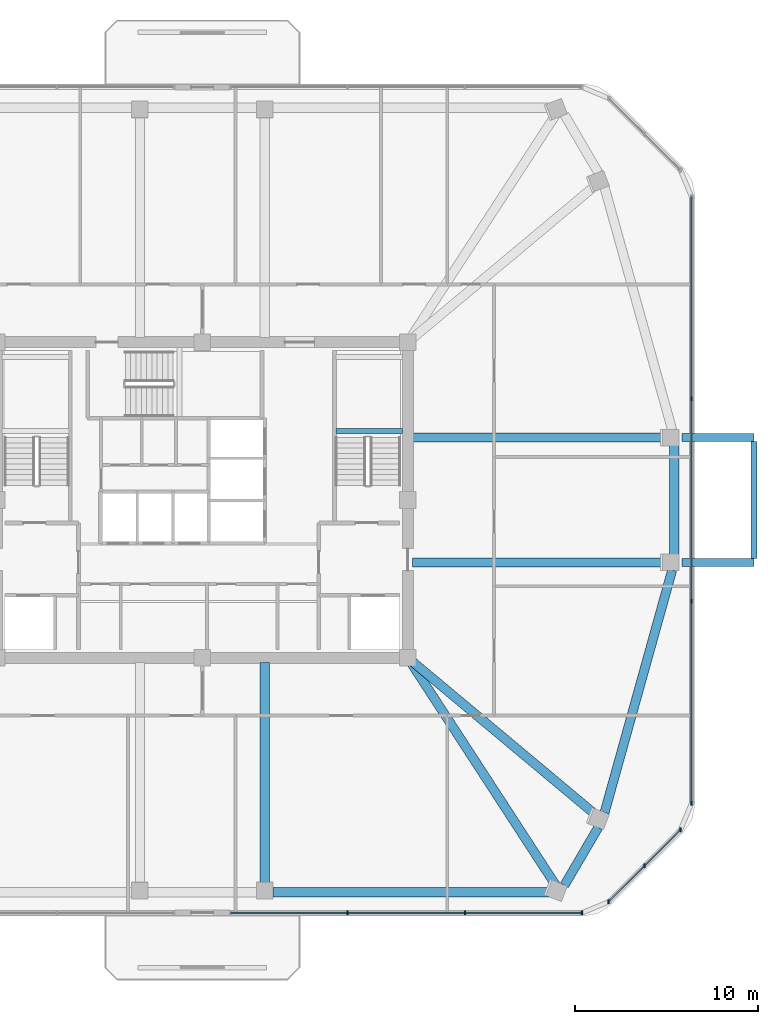
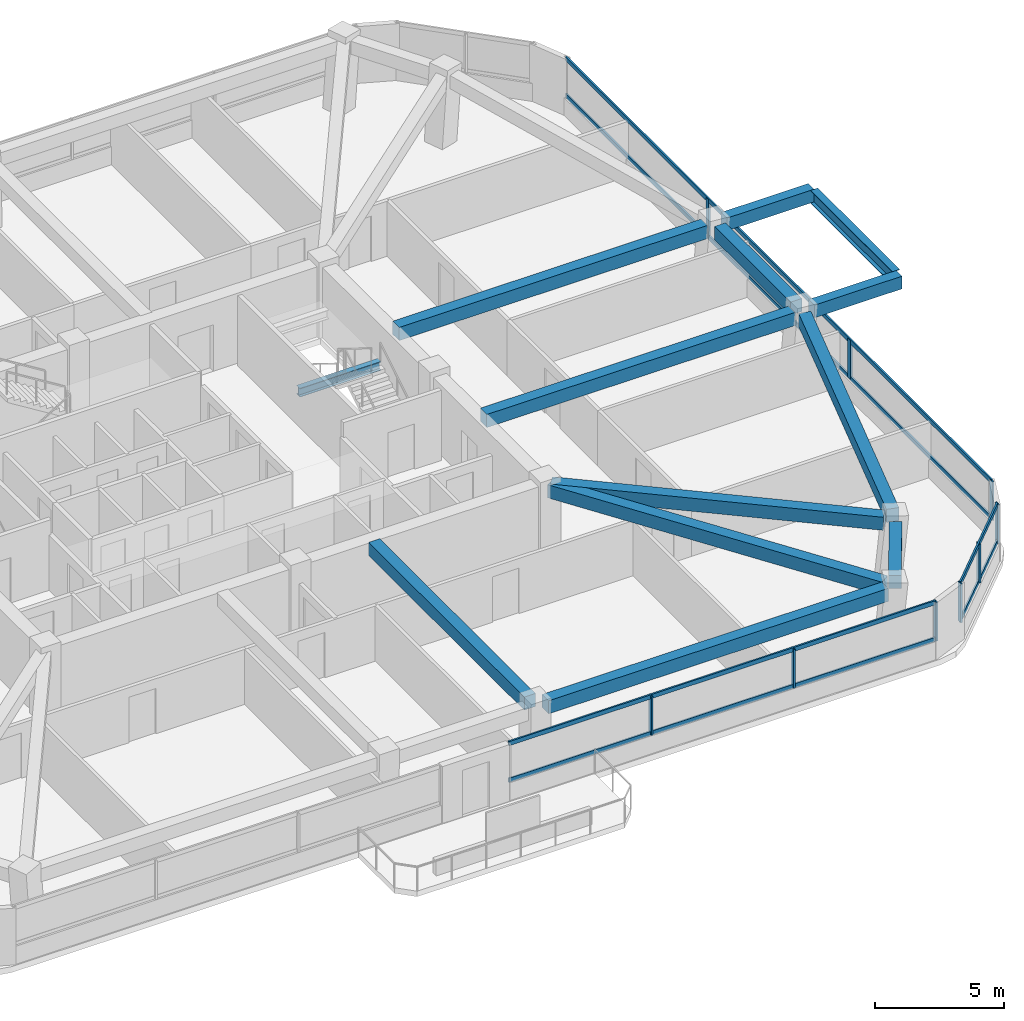
# One storey, part 4 of 13: 15 members, 13 beams, 3 elements without a shape of their own.
"""IFC4 building model written with IfcOpenShell, lengths in metres."""

import ifcopenshell
import ifcopenshell.guid

model = None  # the IFC model being written
_history = None  # IfcOwnerHistory: only IFC2X3 demands one
_inside = {}  # id of a spatial element -> (the spatial element, [elements in it])
_under = {}  # id of a project, library or spatial element -> (it, [spatial elements below it])
_declared = {}  # id of a project -> (the project, [libraries it declares])
_typed = {}  # id of a type object -> (the type object, [elements of that type])
_made_of = {}  # id of a material, layer set ... -> (it, [elements and type objects made of it])


def new_model(schema):
    """Start an empty IFC model of exactly this schema.

    Asked for "IFC4X3", IfcOpenShell would pick the latest addendum, in which some entities
    have other attributes; the version numbers below select the first issue.
    IFC2X3 requires an IfcOwnerHistory on every rooted entity: one is made here for all.
    """
    global model, _history
    if schema == "IFC4X3":
        model = ifcopenshell.file(schema_version=(4, 3, 0, 0))
    else:
        model = ifcopenshell.file(schema=schema)
    _inside.clear()
    _under.clear()
    _declared.clear()
    _typed.clear()
    _made_of.clear()
    _history = None
    if model.schema == "IFC2X3":
        org = make("IfcOrganization", Name="unknown")
        user = make(
            "IfcPersonAndOrganization",
            ThePerson=make("IfcPerson", FamilyName="unknown"),
            TheOrganization=org,
        )
        app = make(
            "IfcApplication",
            ApplicationDeveloper=org,
            Version="unknown",
            ApplicationFullName="unknown",
            ApplicationIdentifier="unknown",
        )
        _history = make(
            "IfcOwnerHistory",
            OwningUser=user,
            OwningApplication=app,
            ChangeAction="ADDED",
            CreationDate=0,
        )
    return model


def make(cls, **values):
    """One entity of the class cls with the attributes given. An attribute that is None is left unset."""
    return model.create_entity(
        cls, **{name: value for name, value in values.items() if value is not None}
    )


def rooted(cls, **values):
    """An entity with a GlobalId (a new one), such as an element, a storey or a relation."""
    return make(cls, GlobalId=ifcopenshell.guid.new(), OwnerHistory=_history, **values)


def si_unit(unit_type, name, prefix=None):
    """IfcSIUnit, for example si_unit("LENGTHUNIT", "METRE", prefix="MILLI")."""
    return make("IfcSIUnit", UnitType=unit_type, Prefix=prefix, Name=name)


def derived_unit(unit_type, elements):
    """IfcDerivedUnit: a product of units, each with its exponent."""
    return make(
        "IfcDerivedUnit",
        Elements=[
            make("IfcDerivedUnitElement", Unit=unit, Exponent=power)
            for unit, power in elements
        ],
        UnitType=unit_type,
    )


def assignment(units):
    """IfcUnitAssignment: the units of a project."""
    return None if units is None else make("IfcUnitAssignment", Units=units)


def point(xyz):
    """IfcCartesianPoint."""
    return None if xyz is None else make("IfcCartesianPoint", Coordinates=xyz)


def direction(xyz):
    """IfcDirection."""
    return None if xyz is None else make("IfcDirection", DirectionRatios=xyz)


def frame(location, z_axis=None, x_axis=None):
    """IfcAxis2Placement3D, a coordinate frame: its origin and axes. An axis left out is left unset."""
    return make(
        "IfcAxis2Placement3D",
        Location=point(location),
        Axis=direction(z_axis),
        RefDirection=direction(x_axis),
    )


def frame_2d(location, x_axis=None):
    """IfcAxis2Placement2D, a coordinate frame in the plane: its origin and x axis."""
    return make(
        "IfcAxis2Placement2D", Location=point(location), RefDirection=direction(x_axis)
    )


def origin():
    """The frame at (0, 0, 0) with its axes left unset."""
    return frame((0.0, 0.0, 0.0))


def origin_2d():
    """The frame at (0, 0) in the plane with its x axis left unset."""
    return frame_2d((0.0, 0.0))


def place(relative_to, where):
    """IfcLocalPlacement: puts the frame where relative to a parent placement (None: the world)."""
    return make(
        "IfcLocalPlacement", PlacementRelTo=relative_to, RelativePlacement=where
    )


def context(
    kind, dimensions, precision=None, world=None, true_north=None, identifier=None
):
    """IfcGeometricRepresentationContext, for example the 3D "Model" context."""
    return make(
        "IfcGeometricRepresentationContext",
        ContextIdentifier=identifier,
        ContextType=kind,
        CoordinateSpaceDimension=dimensions,
        Precision=precision,
        WorldCoordinateSystem=world,
        TrueNorth=true_north,
    )


def subcontext(parent, identifier, kind, view, scale=None):
    """IfcGeometricRepresentationSubContext, for example "Body" below "Model"."""
    return make(
        "IfcGeometricRepresentationSubContext",
        ContextIdentifier=identifier,
        ContextType=kind,
        ParentContext=parent,
        TargetScale=scale,
        TargetView=view,
    )


def project(units=None, contexts=None):
    """IfcProject with its units and contexts."""
    return rooted(
        "IfcProject",
        Name="project",
        RepresentationContexts=contexts,
        UnitsInContext=assignment(units),
    )


def spatial(cls, under=None, at=None, **own):
    """A site, building, storey or space (cls), placed at a placement, below another one or the project."""
    s = rooted(cls, ObjectPlacement=at, **own)
    if under is not None:
        _under.setdefault(under.id(), (under, []))[1].append(s)
    return s


def profile(cls, at=None, kind="AREA", **sizes):
    """A parametric profile (cls). Its sizes go by their IFC names, for example OverallWidth=200.0."""
    return make(cls, ProfileType=kind, Position=at, **sizes)


def rectangle(**sizes):
    """IfcRectangleProfileDef."""
    return profile("IfcRectangleProfileDef", **sizes)


def i_section(**sizes):
    """IfcIShapeProfileDef."""
    return profile("IfcIShapeProfileDef", **sizes)


def extrude(swept, where, along, depth):
    """IfcExtrudedAreaSolid: the profile swept, set in the frame where, extruded along a direction by depth."""
    return make(
        "IfcExtrudedAreaSolid",
        SweptArea=swept,
        Position=where,
        ExtrudedDirection=direction(along),
        Depth=depth,
    )


def shape(context_of_items, identifier, shape_type, items):
    """IfcShapeRepresentation: the items that make up one representation, for example the "Body"."""
    return make(
        "IfcShapeRepresentation",
        ContextOfItems=context_of_items,
        RepresentationIdentifier=identifier,
        RepresentationType=shape_type,
        Items=items,
    )


def material(Name=None, Category=None):
    """IfcMaterial."""
    return make("IfcMaterial", Name=Name, Category=Category)


def material_profile(
    of_material, cross_section, Name=None, Category=None, Priority=None
):
    """IfcMaterialProfile: a cross section and its material."""
    return make(
        "IfcMaterialProfile",
        Name=Name,
        Material=of_material,
        Profile=cross_section,
        Priority=Priority,
        Category=Category,
    )


def profile_set(profiles, Name=None, composite=None):
    """IfcMaterialProfileSet."""
    return make(
        "IfcMaterialProfileSet",
        Name=Name,
        MaterialProfiles=profiles,
        CompositeProfile=composite,
    )


def made_of(thing, what):
    """Note that an element or type object is made of a material, layer set ...; save() writes the relation."""
    if what is not None:
        _made_of.setdefault(what.id(), (what, []))[1].append(thing)
    return thing


def type_object(cls, material=None, **own):
    """A type object (cls), such as IfcWallType, which elements share."""
    return made_of(rooted(cls, **own), material)


def element(
    cls,
    number,
    at=None,
    inside=None,
    cuts=None,
    type_object=None,
    material=None,
    context=None,
    identifier="Body",
    shape_type=None,
    held_by="IfcProductDefinitionShape",
    body=None,
    shapes=None,
    **own,
):
    """One element of the class cls, such as IfcWall. Its Tag is "e" and its number.

    at: its placement. inside: the storey or other place that contains it. cuts: it is an
    opening in that element (IfcRelVoidsElement). A single representation is given by context,
    identifier, shape_type and body (its items); several are given by shapes. held_by: the class
    of the entity that holds the representations. save() writes the other relations.
    """
    e = rooted(cls, Tag="e%d" % number, ObjectPlacement=at, **own)
    if body is not None:
        shapes = [shape(context, identifier, shape_type, body)]
    if shapes is not None:
        e.Representation = make(held_by, Representations=shapes)
    if inside is not None:
        _inside.setdefault(inside.id(), (inside, []))[1].append(e)
    if cuts is not None:
        rooted(
            "IfcRelVoidsElement", RelatingBuildingElement=cuts, RelatedOpeningElement=e
        )
    if type_object is not None:
        _typed.setdefault(type_object.id(), (type_object, []))[1].append(e)
    return made_of(e, material)


def aggregate(whole, parts):
    """IfcRelAggregates: a whole, such as a stair, and the parts it consists of."""
    return rooted("IfcRelAggregates", RelatingObject=whole, RelatedObjects=parts)


def save(model, path):
    """Write the relations noted so far, then the file.

    IfcRelAggregates (storeys below a building ...), IfcRelContainedInSpatialStructure (elements
    in a storey), IfcRelDefinesByType, IfcRelAssociatesMaterial and IfcRelDeclares: one each for
    every whole, place, type object, material and project.
    """
    for whole, parts in _under.values():
        aggregate(whole, parts)
    for where, things in _inside.values():
        rooted(
            "IfcRelContainedInSpatialStructure",
            RelatedElements=things,
            RelatingStructure=where,
        )
    for kind, things in _typed.values():
        rooted("IfcRelDefinesByType", RelatedObjects=things, RelatingType=kind)
    for what, things in _made_of.values():
        rooted("IfcRelAssociatesMaterial", RelatedObjects=things, RelatingMaterial=what)
    for by, libraries in _declared.values():
        rooted("IfcRelDeclares", RelatingContext=by, RelatedDefinitions=libraries)
    model.write(path)


model = new_model("IFC4")

# Units and contexts
model_context = context("Model", 3, precision=1e-05, world=origin(), true_north=direction((0.0, 1.0)))
body_context = subcontext(model_context, "Body", "Model", "MODEL_VIEW")
ifc_project = project(units=[si_unit("LENGTHUNIT", "METRE"), si_unit("AREAUNIT", "SQUARE_METRE"), si_unit("VOLUMEUNIT", "CUBIC_METRE"), si_unit("PLANEANGLEUNIT", "RADIAN"), si_unit("MASSUNIT", "GRAM", prefix="KILO"), derived_unit("THERMALTRANSMITTANCEUNIT", [(si_unit("POWERUNIT", "WATT"), 1), (si_unit("LENGTHUNIT", "METRE"), -2), (si_unit("THERMODYNAMICTEMPERATUREUNIT", "KELVIN"), -1)])], contexts=[model_context])

# Site, building, storey
site_placement = place(None, origin())
site = spatial("IfcSite", under=ifc_project, at=site_placement, CompositionType="ELEMENT")
building_placement = place(site_placement, origin())
building = spatial("IfcBuilding", under=site, at=building_placement, Name="Koralith Skygarden Medical Center", CompositionType="ELEMENT")
storey_placement = place(building_placement, frame((0.0, 0.0, 217.97998046875)))
storey = spatial("IfcBuildingStorey", under=building, at=storey_placement, Name="L56", CompositionType="ELEMENT", Elevation=217.97998046875)

# Curtain wall, members
ifc_material_1 = material(Name="Clear Laminated Glass", Category="glass")
curtain_wall_type = type_object("IfcCurtainWallType", Name="CW-5 Zone 4 Flare Biophilic Curtain Wall", PredefinedType="NOTDEFINED", material=ifc_material_1)
curtain_wall_1_placement = place(storey_placement, origin())
curtain_wall_1 = element("IfcCurtainWall", 1, at=curtain_wall_1_placement, inside=storey, type_object=curtain_wall_type, Name="Curtain Wall CW-L56-S-R", PredefinedType="NOTDEFINED")
ifc_material_2 = material(Name="Aluminium 6063-T6", Category="aluminium")
ifc_material_profile_1 = material_profile(ifc_material_2, rectangle(XDim=0.080078125, YDim=0.219970703125, at=origin_2d()), Name="MUL80X220")
ifc_profile_set_1 = profile_set([ifc_material_profile_1], Name="Aluminium 6063-T6")
member_type_1 = type_object("IfcMemberType", Name="CW-5 Extruded Mullion 80x220", PredefinedType="MULLION", material=ifc_profile_set_1)
member_1_placement = place(storey_placement, frame((44.9208984375, 3.39501953125, 0.85009765625), z_axis=(0.0, 0.0, 1.0), x_axis=(1.0, 0.0, 0.0)))
member_1 = element("IfcMember", 2, at=member_1_placement, type_object=member_type_1, Name="CW-L56-S-R Mullion 2", PredefinedType="MULLION", context=body_context, shape_type="SweptSolid", body=[
    extrude(rectangle(XDim=0.080078125, YDim=0.219970703125, at=origin_2d()), origin(), (0.0, 0.0, 1.0), 1.83984375),
])
member_2_placement = place(storey_placement, frame((51.302978515625, 3.39501953125, 0.85009765625), z_axis=(0.0, 0.0, 1.0), x_axis=(1.0, 0.0, 0.0)))
member_2 = element("IfcMember", 3, at=member_2_placement, type_object=member_type_1, Name="CW-L56-S-R Mullion 3", PredefinedType="MULLION", context=body_context, shape_type="SweptSolid", body=[
    extrude(rectangle(XDim=0.080078125, YDim=0.219970703125, at=origin_2d()), origin(), (0.0, 0.0, 1.0), 1.83984375),
])
member_3_placement = place(storey_placement, frame((57.68408203125, 3.39501953125, 0.85009765625), z_axis=(0.0, 0.0, 1.0), x_axis=(1.0, 0.0, 0.0)))
member_3 = element("IfcMember", 4, at=member_3_placement, type_object=member_type_1, Name="CW-L56-S-R Mullion 4", PredefinedType="MULLION", context=body_context, shape_type="SweptSolid", body=[
    extrude(rectangle(XDim=0.080078125, YDim=0.219970703125, at=origin_2d()), origin(), (0.0, 0.0, 1.0), 1.83984375),
])

curtain_wall_2_placement = place(storey_placement, origin())
curtain_wall_2 = element("IfcCurtainWall", 5, at=curtain_wall_2_placement, inside=storey, type_object=curtain_wall_type, Name="Curtain Wall CW-L56-SE", PredefinedType="NOTDEFINED")
member_4_placement = place(storey_placement, frame((59.135009765625, 3.9970703125, 0.85009765625), z_axis=(0.0, 0.0, 1.0), x_axis=(1.0, 0.0, 0.0)))
member_4 = element("IfcMember", 6, at=member_4_placement, type_object=member_type_1, Name="CW-L56-SE Mullion 1", PredefinedType="MULLION", context=body_context, shape_type="SweptSolid", body=[
    extrude(rectangle(XDim=0.080078125, YDim=0.219970703125, at=origin_2d()), origin(), (0.0, 0.0, 1.0), 1.83984375),
])
member_5_placement = place(storey_placement, frame((61.095947265625, 5.9580078125, 0.85009765625), z_axis=(0.0, 0.0, 1.0), x_axis=(1.0, 0.0, 0.0)))
member_5 = element("IfcMember", 7, at=member_5_placement, type_object=member_type_1, Name="CW-L56-SE Mullion 2", PredefinedType="MULLION", context=body_context, shape_type="SweptSolid", body=[
    extrude(rectangle(XDim=0.080078125, YDim=0.219970703125, at=origin_2d()), origin(), (0.0, 0.0, 1.0), 1.83984375),
])
member_6_placement = place(storey_placement, frame((63.05810546875, 7.919921875, 0.85009765625), z_axis=(0.0, 0.0, 1.0), x_axis=(1.0, 0.0, 0.0)))
member_6 = element("IfcMember", 8, at=member_6_placement, type_object=member_type_1, Name="CW-L56-SE Mullion 3", PredefinedType="MULLION", context=body_context, shape_type="SweptSolid", body=[
    extrude(rectangle(XDim=0.080078125, YDim=0.219970703125, at=origin_2d()), origin(), (0.0, 0.0, 1.0), 1.83984375),
])

curtain_wall_3_placement = place(storey_placement, origin())
curtain_wall_3 = element("IfcCurtainWall", 9, at=curtain_wall_3_placement, inside=storey, type_object=curtain_wall_type, Name="Curtain Wall CW-L56-E", PredefinedType="NOTDEFINED")
member_7_placement = place(storey_placement, frame((63.659912109375, 9.37109375, 0.85009765625), z_axis=(0.0, 0.0, 1.0), x_axis=(1.0, 0.0, 0.0)))
member_7 = element("IfcMember", 10, at=member_7_placement, type_object=member_type_1, Name="CW-L56-E Mullion 1", PredefinedType="MULLION", context=body_context, shape_type="SweptSolid", body=[
    extrude(rectangle(XDim=0.080078125, YDim=0.219970703125, at=origin_2d()), origin(), (0.0, 0.0, 1.0), 1.83984375),
])
member_8_placement = place(storey_placement, frame((63.659912109375, 20.389892578125, 0.85009765625), z_axis=(0.0, 0.0, 1.0), x_axis=(1.0, 0.0, 0.0)))
member_8 = element("IfcMember", 11, at=member_8_placement, type_object=member_type_1, Name="CW-L56-E Mullion 2", PredefinedType="MULLION", context=body_context, shape_type="SweptSolid", body=[
    extrude(rectangle(XDim=0.080078125, YDim=0.219970703125, at=origin_2d()), origin(), (0.0, 0.0, 1.0), 1.83984375),
])
member_9_placement = place(storey_placement, frame((63.659912109375, 31.409912109375, 0.85009765625), z_axis=(0.0, 0.0, 1.0), x_axis=(1.0, 0.0, 0.0)))
member_9 = element("IfcMember", 12, at=member_9_placement, type_object=member_type_1, Name="CW-L56-E Mullion 3", PredefinedType="MULLION", context=body_context, shape_type="SweptSolid", body=[
    extrude(rectangle(XDim=0.080078125, YDim=0.219970703125, at=origin_2d()), origin(), (0.0, 0.0, 1.0), 1.83984375),
])

# Member
ifc_material_profile_2 = material_profile(ifc_material_2, rectangle(XDim=0.074951171875, YDim=0.197998046875, at=origin_2d()), Name="TRN75X198")
ifc_profile_set_2 = profile_set([ifc_material_profile_2], Name="Aluminium 6063-T6")
member_type_2 = type_object("IfcMemberType", Name="CW-5 Thermal Transom 75x198", PredefinedType="USERDEFINED", material=ifc_profile_set_2)
member_10_placement = place(storey_placement, frame((38.5400390625, 3.39501953125, 0.89990234375), z_axis=(1.0, 0.0, 0.0), x_axis=(0.0, 1.0, 0.0)))
member_10 = element("IfcMember", 13, at=member_10_placement, type_object=member_type_2, Name="CW-L56-S-R Transom 1", ObjectType="TRANSOM", PredefinedType="USERDEFINED", context=body_context, shape_type="SweptSolid", body=[
    extrude(rectangle(XDim=0.074951171875, YDim=0.197998046875, at=origin_2d()), origin(), (0.0, 0.0, 1.0), 19.14404296875),
])

member_11_placement = place(storey_placement, frame((38.5400390625, 3.39501953125, 2.64013671875), z_axis=(1.0, 0.0, 0.0), x_axis=(0.0, 1.0, 0.0)))
member_11 = element("IfcMember", 14, at=member_11_placement, type_object=member_type_2, Name="CW-L56-S-R Transom 2", ObjectType="TRANSOM", PredefinedType="USERDEFINED", context=body_context, shape_type="SweptSolid", body=[
    extrude(rectangle(XDim=0.074951171875, YDim=0.197998046875, at=origin_2d()), origin(), (0.0, 0.0, 1.0), 19.14404296875),
])

aggregate(curtain_wall_1, [member_1, member_2, member_3, member_10, member_11])

member_12_placement = place(storey_placement, frame((59.135009765625, 3.9970703125, 0.89990234375), z_axis=(0.707128783731, 0.707084777957, 0.0), x_axis=(-0.707084777957, 0.707128783731, 0.0)))
member_12 = element("IfcMember", 15, at=member_12_placement, type_object=member_type_2, Name="CW-L56-SE Transom 1", ObjectType="TRANSOM", PredefinedType="USERDEFINED", context=body_context, shape_type="SweptSolid", body=[
    extrude(rectangle(XDim=0.074951171875, YDim=0.197998046875, at=origin_2d()), origin(), (0.0, 0.0, 1.0), 5.5478515625),
])

member_13_placement = place(storey_placement, frame((59.135009765625, 3.9970703125, 2.64013671875), z_axis=(0.707128783731, 0.707084777957, 0.0), x_axis=(-0.707084777957, 0.707128783731, 0.0)))
member_13 = element("IfcMember", 16, at=member_13_placement, type_object=member_type_2, Name="CW-L56-SE Transom 2", ObjectType="TRANSOM", PredefinedType="USERDEFINED", context=body_context, shape_type="SweptSolid", body=[
    extrude(rectangle(XDim=0.074951171875, YDim=0.197998046875, at=origin_2d()), origin(), (0.0, 0.0, 1.0), 5.5478515625),
])

aggregate(curtain_wall_2, [member_4, member_5, member_6, member_12, member_13])

member_14_placement = place(storey_placement, frame((63.659912109375, 9.37109375, 0.89990234375), z_axis=(0.0, 1.0, 0.0), x_axis=(-1.0, 0.0, 0.0)))
member_14 = element("IfcMember", 17, at=member_14_placement, type_object=member_type_2, Name="CW-L56-E Transom 1", ObjectType="TRANSOM", PredefinedType="USERDEFINED", context=body_context, shape_type="SweptSolid", body=[
    extrude(rectangle(XDim=0.074951171875, YDim=0.197998046875, at=origin_2d()), origin(), (0.0, 0.0, 1.0), 33.057861328125),
])

member_15_placement = place(storey_placement, frame((63.659912109375, 9.37109375, 2.64013671875), z_axis=(0.0, 1.0, 0.0), x_axis=(-1.0, 0.0, 0.0)))
member_15 = element("IfcMember", 18, at=member_15_placement, type_object=member_type_2, Name="CW-L56-E Transom 2", ObjectType="TRANSOM", PredefinedType="USERDEFINED", context=body_context, shape_type="SweptSolid", body=[
    extrude(rectangle(XDim=0.074951171875, YDim=0.197998046875, at=origin_2d()), origin(), (0.0, 0.0, 1.0), 33.057861328125),
])

aggregate(curtain_wall_3, [member_7, member_8, member_9, member_14, member_15])

# Beams
ifc_material_3 = material(Name="Steel ASTM A992 Grade 50", Category="steel")
ifc_material_profile_3 = material_profile(ifc_material_3, i_section(OverallWidth=0.326904296875, OverallDepth=0.6220703125, WebThickness=0.015380859375, FlangeThickness=0.0244140625, at=origin_2d()), Name="W24X131")
ifc_profile_set_3 = profile_set([ifc_material_profile_3], Name="Steel ASTM A992 Grade 50")
beam_type_1 = type_object("IfcBeamType", Name="Cantilever Tie Beam W24X131", PredefinedType="BEAM", material=ifc_profile_set_3)
beam_1_placement = place(storey_placement, frame((67.072021484375, 22.719970703125, 3.029052734375), z_axis=(0.0, 1.0, 0.0), x_axis=(-1.0, 0.0, 0.0)))
element("IfcBeam", 19, at=beam_1_placement, inside=storey, type_object=beam_type_1, Name="L57 E Balcony Tip Tie Beam", PredefinedType="BEAM", context=body_context, shape_type="SweptSolid", body=[
    extrude(i_section(OverallWidth=0.326904296875, OverallDepth=0.6220703125, WebThickness=0.015380859375, FlangeThickness=0.0244140625, at=origin_2d()), origin(), (0.0, 0.0, 1.0), 6.360107421875),
])
ifc_material_profile_4 = material_profile(ifc_material_3, i_section(OverallWidth=0.260009765625, OverallDepth=0.4150390625, WebThickness=0.010009765625, FlangeThickness=0.016845703125, at=origin_2d()), Name="W16X67")
ifc_profile_set_4 = profile_set([ifc_material_profile_4], Name="Steel ASTM A992 Grade 50")
beam_type_2 = type_object("IfcBeamType", Name="Clinical Floor Joist W16X67", PredefinedType="JOIST", material=ifc_profile_set_4)
beam_2_placement = place(storey_placement, frame((44.280029296875, 29.659912109375, 1.39306640625), z_axis=(1.0, 0.0, 0.0), x_axis=(0.0, 1.0, 0.0)))
element("IfcBeam", 20, at=beam_2_placement, inside=storey, type_object=beam_type_2, Name="L56 Stair ST2 Half-Landing Support Beam 1A", PredefinedType="JOIST", context=body_context, shape_type="SweptSolid", body=[
    extrude(i_section(OverallWidth=0.260009765625, OverallDepth=0.4150390625, WebThickness=0.010009765625, FlangeThickness=0.016845703125, at=origin_2d()), origin(), (0.0, 0.0, 1.0), 3.639892578125),
])
ifc_material_4 = material(Name="Concrete C45/55", Category="concrete")
ifc_material_profile_5 = material_profile(ifc_material_4, rectangle(XDim=0.449951171875, YDim=0.60009765625, at=origin_2d()), Name="RCB450X600")
ifc_profile_set_5 = profile_set([ifc_material_profile_5], Name="Concrete C45/55")
beam_type_3 = type_object("IfcBeamType", Name="Planted Balcony Cantilever Beam RCB450X600", PredefinedType="BEAM", material=ifc_profile_set_5)
for number, where, z_axis, x_axis, name in (
    (21, (63.152099609375, 22.5, 3.0400390625), (1.0, 0.0, 0.0), (0.0, 1.0, 0.0), "L57 E Balcony Cantilever Beam A"),
    (22, (63.152099609375, 29.300048828125, 3.0400390625), (1.0, 0.0, 0.0), (0.0, 1.0, 0.0), "L57 E Balcony Cantilever Beam B"),
):
    element("IfcBeam", number, at=place(storey_placement, frame(where, z_axis=z_axis, x_axis=x_axis)), inside=storey, type_object=beam_type_3, Name=name, PredefinedType="BEAM", context=body_context, shape_type="SweptSolid", body=[
        extrude(rectangle(XDim=0.449951171875, YDim=0.60009765625, at=origin_2d()), origin(), (0.0, 0.0, 1.0), 3.919921875),
    ])
ifc_material_profile_6 = material_profile(ifc_material_4, rectangle(XDim=0.5, YDim=0.6201171875, at=origin_2d()), Name="RCB500X620")
ifc_profile_set_6 = profile_set([ifc_material_profile_6], Name="Concrete C45/55")
beam_type_4 = type_object("IfcBeamType", Name="Upper Radial Collector Beam RCB500X620", PredefinedType="BEAM", material=ifc_profile_set_6)
beam_3_placement = place(storey_placement, frame((40.39990234375, 17.050048828125, 3.010009765625), z_axis=(0.0, -1.0, 0.0), x_axis=(1.0, 0.0, 0.0)))
element("IfcBeam", 23, at=beam_3_placement, inside=storey, type_object=beam_type_4, Name="L56 Radial Collector Beam RB-05", PredefinedType="BEAM", context=body_context, shape_type="SweptSolid", body=[
    extrude(rectangle(XDim=0.5, YDim=0.6201171875, at=origin_2d()), origin(), (0.0, 0.0, 1.0), 12.090087890625),
])
beam_4_placement = place(storey_placement, frame((48.3359375, 17.090087890625, 3.010009765625), z_axis=(0.5451487187, -0.838339355214, 0.0), x_axis=(0.838339355214, 0.5451487187, 0.0)))
element("IfcBeam", 24, at=beam_4_placement, inside=storey, type_object=beam_type_4, Name="L56 Radial Collector Beam RB-06", PredefinedType="BEAM", context=body_context, shape_type="SweptSolid", body=[
    extrude(rectangle(XDim=0.5, YDim=0.6201171875, at=origin_2d()), origin(), (0.0, 0.0, 1.0), 14.553955078125),
])
beam_5_placement = place(storey_placement, frame((48.39208984375, 17.139892578125, 3.010009765625), z_axis=(0.767298159165, -0.64129052304, 0.0), x_axis=(0.64129052304, 0.767298159165, 0.0)))
element("IfcBeam", 25, at=beam_5_placement, inside=storey, type_object=beam_type_4, Name="L56 Radial Collector Beam RB-07", PredefinedType="BEAM", context=body_context, shape_type="SweptSolid", body=[
    extrude(rectangle(XDim=0.5, YDim=0.6201171875, at=origin_2d()), origin(), (0.0, 0.0, 1.0), 13.126708984375),
])
for number, where, z_axis, x_axis, name in (
    (26, (48.449951171875, 22.5, 3.010009765625), (1.0, 0.0, 0.0), (0.0, 1.0, 0.0), "L56 Radial Collector Beam RB-08"),
    (27, (48.449951171875, 29.300048828125, 3.010009765625), (1.0, 0.0, 0.0), (0.0, 1.0, 0.0), "L56 Radial Collector Beam RB-09"),
):
    element("IfcBeam", number, at=place(storey_placement, frame(where, z_axis=z_axis, x_axis=x_axis)), inside=storey, type_object=beam_type_4, Name=name, PredefinedType="BEAM", context=body_context, shape_type="SweptSolid", body=[
        extrude(rectangle(XDim=0.5, YDim=0.6201171875, at=origin_2d()), origin(), (0.0, 0.0, 1.0), 13.83203125),
    ])
ifc_material_profile_7 = material_profile(ifc_material_4, rectangle(XDim=0.5, YDim=0.6201171875, at=origin_2d()), Name="RCB500X620")
ifc_profile_set_7 = profile_set([ifc_material_profile_7], Name="Concrete C45/55")
beam_type_5 = type_object("IfcBeamType", Name="Zone 4-5 Spandrel Beam RCB500X620", PredefinedType="SPANDREL", material=ifc_profile_set_7)
beam_6_placement = place(storey_placement, frame((40.840087890625, 4.52001953125, 3.010009765625), z_axis=(1.0, 0.0, 0.0), x_axis=(0.0, 1.0, 0.0)))
element("IfcBeam", 28, at=beam_6_placement, inside=storey, type_object=beam_type_5, Name="L56 Perimeter Spandrel Beam SP-05", PredefinedType="SPANDREL", context=body_context, shape_type="SweptSolid", body=[
    extrude(rectangle(XDim=0.5, YDim=0.6201171875, at=origin_2d()), origin(), (0.0, 0.0, 1.0), 15.22998046875),
])
beam_7_placement = place(storey_placement, frame((56.73193359375, 4.89990234375, 3.010009765625), z_axis=(0.504832687441, 0.863217213505, 0.0), x_axis=(-0.863217213505, 0.504832687441, 0.0)))
element("IfcBeam", 29, at=beam_7_placement, inside=storey, type_object=beam_type_5, Name="L56 Perimeter Spandrel Beam SP-06", PredefinedType="SPANDREL", context=body_context, shape_type="SweptSolid", body=[
    extrude(rectangle(XDim=0.5, YDim=0.6201171875, at=origin_2d()), origin(), (0.0, 0.0, 1.0), 3.660888671875),
])
beam_8_placement = place(storey_placement, frame((58.919921875, 8.864013671875, 3.010009765625), z_axis=(0.26859849356, 0.96325222515, 0.0), x_axis=(-0.96325222515, 0.26859849356, 0.0)))
element("IfcBeam", 30, at=beam_8_placement, inside=storey, type_object=beam_type_5, Name="L56 Perimeter Spandrel Beam SP-07", PredefinedType="SPANDREL", context=body_context, shape_type="SweptSolid", body=[
    extrude(rectangle(XDim=0.5, YDim=0.6201171875, at=origin_2d()), origin(), (0.0, 0.0, 1.0), 13.716064453125),
])
beam_9_placement = place(storey_placement, frame((62.721923828125, 22.93994140625, 3.010009765625), z_axis=(0.0, 1.0, 0.0), x_axis=(-1.0, 0.0, 0.0)))
element("IfcBeam", 31, at=beam_9_placement, inside=storey, type_object=beam_type_5, Name="L56 Perimeter Spandrel Beam SP-08", PredefinedType="SPANDREL", context=body_context, shape_type="SweptSolid", body=[
    extrude(rectangle(XDim=0.5, YDim=0.6201171875, at=origin_2d()), origin(), (0.0, 0.0, 1.0), 5.920166015625),
])

save(model, "model.ifc")
